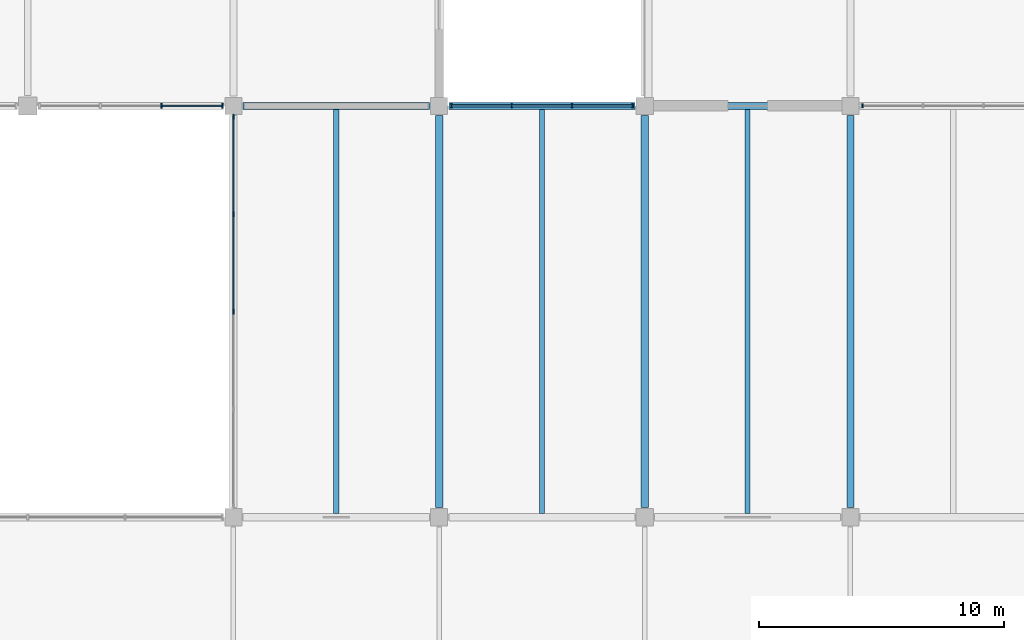
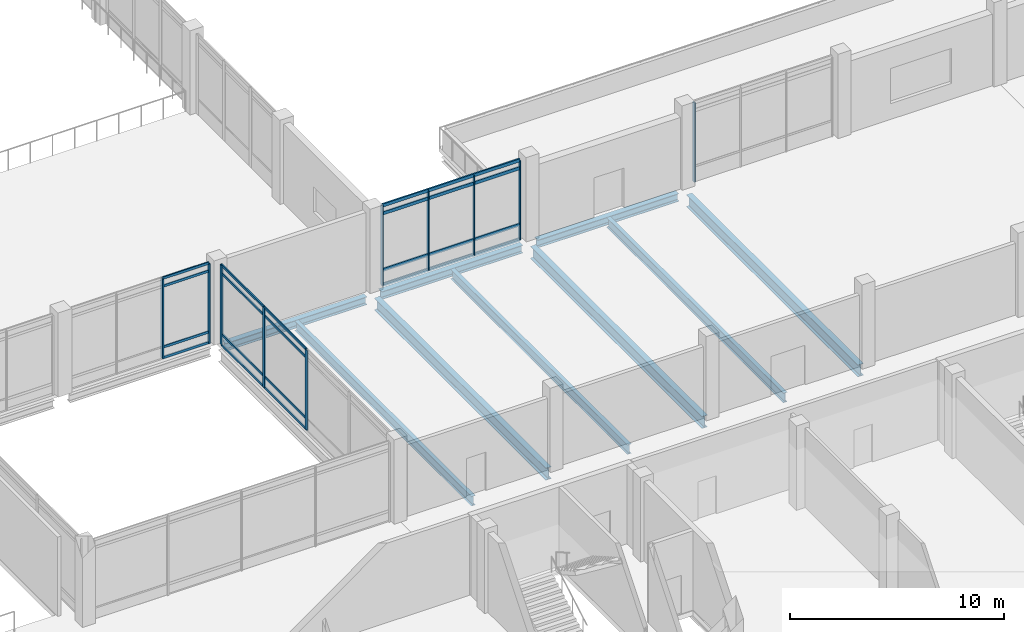
# One storey, part 9 of 110: 34 members, 9 beams, 4 elements without a shape of their own.
"""IFC4 building model written with IfcOpenShell, lengths in metres."""

import ifcopenshell
import ifcopenshell.guid

model = None  # the IFC model being written
_history = None  # IfcOwnerHistory: only IFC2X3 demands one
_inside = {}  # id of a spatial element -> (the spatial element, [elements in it])
_under = {}  # id of a project, library or spatial element -> (it, [spatial elements below it])
_declared = {}  # id of a project -> (the project, [libraries it declares])
_typed = {}  # id of a type object -> (the type object, [elements of that type])
_made_of = {}  # id of a material, layer set ... -> (it, [elements and type objects made of it])


def new_model(schema):
    """Start an empty IFC model of exactly this schema.

    Asked for "IFC4X3", IfcOpenShell would pick the latest addendum, in which some entities
    have other attributes; the version numbers below select the first issue.
    IFC2X3 requires an IfcOwnerHistory on every rooted entity: one is made here for all.
    """
    global model, _history
    if schema == "IFC4X3":
        model = ifcopenshell.file(schema_version=(4, 3, 0, 0))
    else:
        model = ifcopenshell.file(schema=schema)
    _inside.clear()
    _under.clear()
    _declared.clear()
    _typed.clear()
    _made_of.clear()
    _history = None
    if model.schema == "IFC2X3":
        org = make("IfcOrganization", Name="unknown")
        user = make(
            "IfcPersonAndOrganization",
            ThePerson=make("IfcPerson", FamilyName="unknown"),
            TheOrganization=org,
        )
        app = make(
            "IfcApplication",
            ApplicationDeveloper=org,
            Version="unknown",
            ApplicationFullName="unknown",
            ApplicationIdentifier="unknown",
        )
        _history = make(
            "IfcOwnerHistory",
            OwningUser=user,
            OwningApplication=app,
            ChangeAction="ADDED",
            CreationDate=0,
        )
    return model


def make(cls, **values):
    """One entity of the class cls with the attributes given. An attribute that is None is left unset."""
    return model.create_entity(
        cls, **{name: value for name, value in values.items() if value is not None}
    )


def rooted(cls, **values):
    """An entity with a GlobalId (a new one), such as an element, a storey or a relation."""
    return make(cls, GlobalId=ifcopenshell.guid.new(), OwnerHistory=_history, **values)


def si_unit(unit_type, name, prefix=None):
    """IfcSIUnit, for example si_unit("LENGTHUNIT", "METRE", prefix="MILLI")."""
    return make("IfcSIUnit", UnitType=unit_type, Prefix=prefix, Name=name)


def assignment(units):
    """IfcUnitAssignment: the units of a project."""
    return None if units is None else make("IfcUnitAssignment", Units=units)


def point(xyz):
    """IfcCartesianPoint."""
    return None if xyz is None else make("IfcCartesianPoint", Coordinates=xyz)


def direction(xyz):
    """IfcDirection."""
    return None if xyz is None else make("IfcDirection", DirectionRatios=xyz)


def frame(location, z_axis=None, x_axis=None):
    """IfcAxis2Placement3D, a coordinate frame: its origin and axes. An axis left out is left unset."""
    return make(
        "IfcAxis2Placement3D",
        Location=point(location),
        Axis=direction(z_axis),
        RefDirection=direction(x_axis),
    )


def frame_2d(location, x_axis=None):
    """IfcAxis2Placement2D, a coordinate frame in the plane: its origin and x axis."""
    return make(
        "IfcAxis2Placement2D", Location=point(location), RefDirection=direction(x_axis)
    )


def origin():
    """The frame at (0, 0, 0) with its axes left unset."""
    return frame((0.0, 0.0, 0.0))


def origin_2d():
    """The frame at (0, 0) in the plane with its x axis left unset."""
    return frame_2d((0.0, 0.0))


def place(relative_to, where):
    """IfcLocalPlacement: puts the frame where relative to a parent placement (None: the world)."""
    return make(
        "IfcLocalPlacement", PlacementRelTo=relative_to, RelativePlacement=where
    )


def context(
    kind, dimensions, precision=None, world=None, true_north=None, identifier=None
):
    """IfcGeometricRepresentationContext, for example the 3D "Model" context."""
    return make(
        "IfcGeometricRepresentationContext",
        ContextIdentifier=identifier,
        ContextType=kind,
        CoordinateSpaceDimension=dimensions,
        Precision=precision,
        WorldCoordinateSystem=world,
        TrueNorth=true_north,
    )


def subcontext(parent, identifier, kind, view, scale=None):
    """IfcGeometricRepresentationSubContext, for example "Body" below "Model"."""
    return make(
        "IfcGeometricRepresentationSubContext",
        ContextIdentifier=identifier,
        ContextType=kind,
        ParentContext=parent,
        TargetScale=scale,
        TargetView=view,
    )


def project(units=None, contexts=None):
    """IfcProject with its units and contexts."""
    return rooted(
        "IfcProject",
        Name="project",
        RepresentationContexts=contexts,
        UnitsInContext=assignment(units),
    )


def spatial(cls, under=None, at=None, **own):
    """A site, building, storey or space (cls), placed at a placement, below another one or the project."""
    s = rooted(cls, ObjectPlacement=at, **own)
    if under is not None:
        _under.setdefault(under.id(), (under, []))[1].append(s)
    return s


def profile(cls, at=None, kind="AREA", **sizes):
    """A parametric profile (cls). Its sizes go by their IFC names, for example OverallWidth=200.0."""
    return make(cls, ProfileType=kind, Position=at, **sizes)


def rectangle(**sizes):
    """IfcRectangleProfileDef."""
    return profile("IfcRectangleProfileDef", **sizes)


def i_section(**sizes):
    """IfcIShapeProfileDef."""
    return profile("IfcIShapeProfileDef", **sizes)


def extrude(swept, where, along, depth):
    """IfcExtrudedAreaSolid: the profile swept, set in the frame where, extruded along a direction by depth."""
    return make(
        "IfcExtrudedAreaSolid",
        SweptArea=swept,
        Position=where,
        ExtrudedDirection=direction(along),
        Depth=depth,
    )


def shape(context_of_items, identifier, shape_type, items):
    """IfcShapeRepresentation: the items that make up one representation, for example the "Body"."""
    return make(
        "IfcShapeRepresentation",
        ContextOfItems=context_of_items,
        RepresentationIdentifier=identifier,
        RepresentationType=shape_type,
        Items=items,
    )


def material(Name=None, Category=None):
    """IfcMaterial."""
    return make("IfcMaterial", Name=Name, Category=Category)


def layer(
    of_material, thickness, ventilated=None, Name=None, Category=None, Priority=None
):
    """IfcMaterialLayer: one layer of a wall or slab, of a material (None: an air gap)."""
    return make(
        "IfcMaterialLayer",
        Material=of_material,
        LayerThickness=thickness,
        IsVentilated=ventilated,
        Name=Name,
        Category=Category,
        Priority=Priority,
    )


def layer_set(layers, Name=None):
    """IfcMaterialLayerSet."""
    return make("IfcMaterialLayerSet", MaterialLayers=layers, LayerSetName=Name)


def material_profile(
    of_material, cross_section, Name=None, Category=None, Priority=None
):
    """IfcMaterialProfile: a cross section and its material."""
    return make(
        "IfcMaterialProfile",
        Name=Name,
        Material=of_material,
        Profile=cross_section,
        Priority=Priority,
        Category=Category,
    )


def profile_set(profiles, Name=None, composite=None):
    """IfcMaterialProfileSet."""
    return make(
        "IfcMaterialProfileSet",
        Name=Name,
        MaterialProfiles=profiles,
        CompositeProfile=composite,
    )


def made_of(thing, what):
    """Note that an element or type object is made of a material, layer set ...; save() writes the relation."""
    if what is not None:
        _made_of.setdefault(what.id(), (what, []))[1].append(thing)
    return thing


def type_object(cls, material=None, **own):
    """A type object (cls), such as IfcWallType, which elements share."""
    return made_of(rooted(cls, **own), material)


def element(
    cls,
    number,
    at=None,
    inside=None,
    cuts=None,
    type_object=None,
    material=None,
    context=None,
    identifier="Body",
    shape_type=None,
    held_by="IfcProductDefinitionShape",
    body=None,
    shapes=None,
    **own,
):
    """One element of the class cls, such as IfcWall. Its Tag is "e" and its number.

    at: its placement. inside: the storey or other place that contains it. cuts: it is an
    opening in that element (IfcRelVoidsElement). A single representation is given by context,
    identifier, shape_type and body (its items); several are given by shapes. held_by: the class
    of the entity that holds the representations. save() writes the other relations.
    """
    e = rooted(cls, Tag="e%d" % number, ObjectPlacement=at, **own)
    if body is not None:
        shapes = [shape(context, identifier, shape_type, body)]
    if shapes is not None:
        e.Representation = make(held_by, Representations=shapes)
    if inside is not None:
        _inside.setdefault(inside.id(), (inside, []))[1].append(e)
    if cuts is not None:
        rooted(
            "IfcRelVoidsElement", RelatingBuildingElement=cuts, RelatedOpeningElement=e
        )
    if type_object is not None:
        _typed.setdefault(type_object.id(), (type_object, []))[1].append(e)
    return made_of(e, material)


def aggregate(whole, parts):
    """IfcRelAggregates: a whole, such as a stair, and the parts it consists of."""
    return rooted("IfcRelAggregates", RelatingObject=whole, RelatedObjects=parts)


def save(model, path):
    """Write the relations noted so far, then the file.

    IfcRelAggregates (storeys below a building ...), IfcRelContainedInSpatialStructure (elements
    in a storey), IfcRelDefinesByType, IfcRelAssociatesMaterial and IfcRelDeclares: one each for
    every whole, place, type object, material and project.
    """
    for whole, parts in _under.values():
        aggregate(whole, parts)
    for where, things in _inside.values():
        rooted(
            "IfcRelContainedInSpatialStructure",
            RelatedElements=things,
            RelatingStructure=where,
        )
    for kind, things in _typed.values():
        rooted("IfcRelDefinesByType", RelatedObjects=things, RelatingType=kind)
    for what, things in _made_of.values():
        rooted("IfcRelAssociatesMaterial", RelatedObjects=things, RelatingMaterial=what)
    for by, libraries in _declared.values():
        rooted("IfcRelDeclares", RelatingContext=by, RelatedDefinitions=libraries)
    model.write(path)


model = new_model("IFC4")

# Units and contexts
model_context = context("Model", 3, precision=1e-05, world=origin(), true_north=direction((0.0, 1.0)))
body_context = subcontext(model_context, "Body", "Model", "MODEL_VIEW")
ifc_project = project(units=[si_unit("LENGTHUNIT", "METRE"), si_unit("AREAUNIT", "SQUARE_METRE"), si_unit("VOLUMEUNIT", "CUBIC_METRE"), si_unit("PLANEANGLEUNIT", "RADIAN"), si_unit("MASSUNIT", "GRAM", prefix="KILO")], contexts=[model_context])

# Site, building, storey
site_placement = place(None, origin())
site = spatial("IfcSite", under=ifc_project, at=site_placement, CompositionType="ELEMENT")
building_placement = place(site_placement, origin())
building = spatial("IfcBuilding", under=site, at=building_placement, Name="Qawsi Khor Wholesale Market", CompositionType="ELEMENT")
storey_placement = place(building_placement, frame((0.0, 0.0, 11.39990234375)))
storey = spatial("IfcBuildingStorey", under=building, at=storey_placement, Name="L02", CompositionType="ELEMENT", Elevation=11.39990234375)

# Curtain wall, members
ifc_material_1 = material(Name="Aluminium Anodised Bronze", Category="aluminium")
ifc_layer_1 = layer(ifc_material_1, 0.179931640625, Name="Aluminium Anodised Bronze")
ifc_layer_set_1 = layer_set([ifc_layer_1], Name="Aluminium Anodised Bronze")
curtain_wall_type_1 = type_object("IfcCurtainWallType", Name="Atrium Full-Height Curtain Wall CW-02", PredefinedType="NOTDEFINED", material=ifc_layer_set_1)
curtain_wall_1_placement = place(storey_placement, origin())
curtain_wall_1 = element("IfcCurtainWall", 1, at=curtain_wall_1_placement, inside=storey, type_object=curtain_wall_type_1, Name="Curtain wall CW-CW-02-L02-023", PredefinedType="NOTDEFINED")
ifc_material_profile_1 = material_profile(ifc_material_1, rectangle(XDim=0.070068359375, YDim=0.199951171875, at=origin_2d()), Name="ALU MULLION 70x200")
ifc_profile_set_1 = profile_set([ifc_material_profile_1], Name="Aluminium Anodised Bronze")
member_type_1 = type_object("IfcMemberType", Name="Curtain Wall Mullion CW-02 ALU MULLION 70x200", PredefinedType="MULLION", material=ifc_profile_set_1)
member_1_placement = place(storey_placement, frame((64.260009765625, 42.0, -0.02001953125), z_axis=(0.0, 0.0, 1.0), x_axis=(1.0, 0.0, 0.0)))
member_1 = element("IfcMember", 2, at=member_1_placement, type_object=member_type_1, Name="Mullion CW-CW-02-L02-023-M02", PredefinedType="MULLION", context=body_context, shape_type="SweptSolid", body=[
    extrude(rectangle(XDim=0.070068359375, YDim=0.199951171875, at=origin_2d()), origin(), (0.0, 0.0, 1.0), 4.5400390625),
])
member_2_placement = place(storey_placement, frame((66.7548828125, 42.0, -0.02001953125), z_axis=(0.0, 0.0, 1.0), x_axis=(1.0, 0.0, 0.0)))
member_2 = element("IfcMember", 3, at=member_2_placement, type_object=member_type_1, Name="Mullion CW-CW-02-L02-023-M03", PredefinedType="MULLION", context=body_context, shape_type="SweptSolid", body=[
    extrude(rectangle(XDim=0.070068359375, YDim=0.199951171875, at=origin_2d()), origin(), (0.0, 0.0, 1.0), 4.5400390625),
])

curtain_wall_2_placement = place(storey_placement, origin())
curtain_wall_2 = element("IfcCurtainWall", 4, at=curtain_wall_2_placement, inside=storey, type_object=curtain_wall_type_1, Name="Curtain wall CW-CW-02-L02-025", PredefinedType="NOTDEFINED")
member_3_placement = place(storey_placement, frame((67.199951171875, 33.60009765625, -0.02001953125), z_axis=(0.0, 0.0, 1.0), x_axis=(1.0, 0.0, 0.0)))
member_3 = element("IfcMember", 5, at=member_3_placement, type_object=member_type_1, Name="Mullion CW-CW-02-L02-025-M02", PredefinedType="MULLION", context=body_context, shape_type="SweptSolid", body=[
    extrude(rectangle(XDim=0.070068359375, YDim=0.199951171875, at=origin_2d()), origin(), (0.0, 0.0, 1.0), 4.5400390625),
])
member_4_placement = place(storey_placement, frame((67.199951171875, 37.577392578125, -0.02001953125), z_axis=(0.0, 0.0, 1.0), x_axis=(1.0, 0.0, 0.0)))
member_4 = element("IfcMember", 6, at=member_4_placement, type_object=member_type_1, Name="Mullion CW-CW-02-L02-025-M03", PredefinedType="MULLION", context=body_context, shape_type="SweptSolid", body=[
    extrude(rectangle(XDim=0.070068359375, YDim=0.199951171875, at=origin_2d()), origin(), (0.0, 0.0, 1.0), 4.5400390625),
])
member_5_placement = place(storey_placement, frame((67.199951171875, 41.554931640625, -0.02001953125), z_axis=(0.0, 0.0, 1.0), x_axis=(1.0, 0.0, 0.0)))
member_5 = element("IfcMember", 7, at=member_5_placement, type_object=member_type_1, Name="Mullion CW-CW-02-L02-025-M04", PredefinedType="MULLION", context=body_context, shape_type="SweptSolid", body=[
    extrude(rectangle(XDim=0.070068359375, YDim=0.199951171875, at=origin_2d()), origin(), (0.0, 0.0, 1.0), 4.5400390625),
])

ifc_layer_2 = layer(ifc_material_1, 0.169921875, Name="Aluminium Anodised Bronze")
ifc_layer_set_2 = layer_set([ifc_layer_2], Name="Aluminium Anodised Bronze")
curtain_wall_type_2 = type_object("IfcCurtainWallType", Name="Central Court Gallery Curtain Wall CW-05", PredefinedType="NOTDEFINED", material=ifc_layer_set_2)
curtain_wall_3_placement = place(storey_placement, origin())
curtain_wall_3 = element("IfcCurtainWall", 8, at=curtain_wall_3_placement, inside=storey, type_object=curtain_wall_type_2, Name="Curtain wall CW-CW-05-L02-066", PredefinedType="NOTDEFINED")
ifc_material_profile_2 = material_profile(ifc_material_1, rectangle(XDim=0.06005859375, YDim=0.159912109375, at=origin_2d()), Name="ALU MULLION 60x160")
ifc_profile_set_2 = profile_set([ifc_material_profile_2], Name="Aluminium Anodised Bronze")
member_type_2 = type_object("IfcMemberType", Name="Curtain Wall Mullion CW-05 ALU MULLION 60x160", PredefinedType="MULLION", material=ifc_profile_set_2)
member_6_placement = place(storey_placement, frame((76.10009765625, 42.0, -0.02001953125), z_axis=(0.0, 0.0, 1.0), x_axis=(1.0, 0.0, 0.0)))
member_6 = element("IfcMember", 9, at=member_6_placement, type_object=member_type_2, Name="Mullion CW-CW-05-L02-066-M00", PredefinedType="MULLION", context=body_context, shape_type="SweptSolid", body=[
    extrude(rectangle(XDim=0.06005859375, YDim=0.159912109375, at=origin_2d()), origin(), (0.0, 0.0, 1.0), 4.5400390625),
])
member_7_placement = place(storey_placement, frame((78.566650390625, 42.0, -0.02001953125), z_axis=(0.0, 0.0, 1.0), x_axis=(1.0, 0.0, 0.0)))
member_7 = element("IfcMember", 10, at=member_7_placement, type_object=member_type_2, Name="Mullion CW-CW-05-L02-066-M01", PredefinedType="MULLION", context=body_context, shape_type="SweptSolid", body=[
    extrude(rectangle(XDim=0.06005859375, YDim=0.159912109375, at=origin_2d()), origin(), (0.0, 0.0, 1.0), 4.5400390625),
])
member_8_placement = place(storey_placement, frame((81.033203125, 42.0, -0.02001953125), z_axis=(0.0, 0.0, 1.0), x_axis=(1.0, 0.0, 0.0)))
member_8 = element("IfcMember", 11, at=member_8_placement, type_object=member_type_2, Name="Mullion CW-CW-05-L02-066-M02", PredefinedType="MULLION", context=body_context, shape_type="SweptSolid", body=[
    extrude(rectangle(XDim=0.06005859375, YDim=0.159912109375, at=origin_2d()), origin(), (0.0, 0.0, 1.0), 4.5400390625),
])
member_9_placement = place(storey_placement, frame((83.5, 42.0, -0.02001953125), z_axis=(0.0, 0.0, 1.0), x_axis=(1.0, 0.0, 0.0)))
member_9 = element("IfcMember", 12, at=member_9_placement, type_object=member_type_2, Name="Mullion CW-CW-05-L02-066-M03", PredefinedType="MULLION", context=body_context, shape_type="SweptSolid", body=[
    extrude(rectangle(XDim=0.06005859375, YDim=0.159912109375, at=origin_2d()), origin(), (0.0, 0.0, 1.0), 4.5400390625),
])

# Curtain wall, member
curtain_wall_4_placement = place(storey_placement, origin())
curtain_wall_4 = element("IfcCurtainWall", 13, at=curtain_wall_4_placement, inside=storey, type_object=curtain_wall_type_2, Name="Curtain wall CW-CW-05-L02-067", PredefinedType="NOTDEFINED")
member_10_placement = place(storey_placement, frame((92.89990234375, 42.0, -0.02001953125), z_axis=(0.0, 0.0, 1.0), x_axis=(1.0, 0.0, 0.0)))
member_10 = element("IfcMember", 14, at=member_10_placement, type_object=member_type_2, Name="Mullion CW-CW-05-L02-067-M00", PredefinedType="MULLION", context=body_context, shape_type="SweptSolid", body=[
    extrude(rectangle(XDim=0.06005859375, YDim=0.159912109375, at=origin_2d()), origin(), (0.0, 0.0, 1.0), 4.5400390625),
])
aggregate(curtain_wall_4, [member_10])

# Member
ifc_material_profile_3 = material_profile(ifc_material_1, rectangle(XDim=0.06494140625, YDim=0.139892578125, at=origin_2d()), Name="ALU TRANSOM 65x140")
ifc_profile_set_3 = profile_set([ifc_material_profile_3], Name="Aluminium Anodised Bronze")
member_type_3 = type_object("IfcMemberType", Name="Curtain Wall Transom CW-02 ALU TRANSOM 65x140", PredefinedType="USERDEFINED", material=ifc_profile_set_3)
member_11_placement = place(storey_placement, frame((64.260009765625, 42.0, 0.0), z_axis=(1.0, 0.0, 0.0), x_axis=(0.0, 1.0, 0.0)))
member_11 = element("IfcMember", 15, at=member_11_placement, type_object=member_type_3, Name="Transom CW-CW-02-L02-023-T0_02", ObjectType="TRANSOM", PredefinedType="USERDEFINED", context=body_context, shape_type="SweptSolid", body=[
    extrude(rectangle(XDim=0.06494140625, YDim=0.139892578125, at=origin_2d()), origin(), (0.0, 0.0, 1.0), 2.494873046875),
])

member_12_placement = place(storey_placement, frame((64.260009765625, 42.0, 0.60009765625), z_axis=(1.0, 0.0, 0.0), x_axis=(0.0, 1.0, 0.0)))
member_12 = element("IfcMember", 16, at=member_12_placement, type_object=member_type_3, Name="Transom CW-CW-02-L02-023-T1_02", ObjectType="TRANSOM", PredefinedType="USERDEFINED", context=body_context, shape_type="SweptSolid", body=[
    extrude(rectangle(XDim=0.06494140625, YDim=0.139892578125, at=origin_2d()), origin(), (0.0, 0.0, 1.0), 2.494873046875),
])

member_13_placement = place(storey_placement, frame((64.260009765625, 42.0, 4.070068359375), z_axis=(1.0, 0.0, 0.0), x_axis=(0.0, 1.0, 0.0)))
member_13 = element("IfcMember", 17, at=member_13_placement, type_object=member_type_3, Name="Transom CW-CW-02-L02-023-T2_02", ObjectType="TRANSOM", PredefinedType="USERDEFINED", context=body_context, shape_type="SweptSolid", body=[
    extrude(rectangle(XDim=0.06494140625, YDim=0.139892578125, at=origin_2d()), origin(), (0.0, 0.0, 1.0), 2.494873046875),
])

member_14_placement = place(storey_placement, frame((64.260009765625, 42.0, 4.52001953125), z_axis=(1.0, 0.0, 0.0), x_axis=(0.0, 1.0, 0.0)))
member_14 = element("IfcMember", 18, at=member_14_placement, type_object=member_type_3, Name="Transom CW-CW-02-L02-023-T3_02", ObjectType="TRANSOM", PredefinedType="USERDEFINED", context=body_context, shape_type="SweptSolid", body=[
    extrude(rectangle(XDim=0.06494140625, YDim=0.139892578125, at=origin_2d()), origin(), (0.0, 0.0, 1.0), 2.494873046875),
])

aggregate(curtain_wall_1, [member_1, member_2, member_11, member_12, member_13, member_14])

member_15_placement = place(storey_placement, frame((67.199951171875, 33.60009765625, 0.0), z_axis=(0.0, 1.0, 0.0), x_axis=(-1.0, 0.0, 0.0)))
member_15 = element("IfcMember", 19, at=member_15_placement, type_object=member_type_3, Name="Transom CW-CW-02-L02-025-T0_02", ObjectType="TRANSOM", PredefinedType="USERDEFINED", context=body_context, shape_type="SweptSolid", body=[
    extrude(rectangle(XDim=0.06494140625, YDim=0.139892578125, at=origin_2d()), origin(), (0.0, 0.0, 1.0), 3.977294921875),
])

member_16_placement = place(storey_placement, frame((67.199951171875, 37.577392578125, 0.0), z_axis=(0.0, 1.0, 0.0), x_axis=(-1.0, 0.0, 0.0)))
member_16 = element("IfcMember", 20, at=member_16_placement, type_object=member_type_3, Name="Transom CW-CW-02-L02-025-T0_03", ObjectType="TRANSOM", PredefinedType="USERDEFINED", context=body_context, shape_type="SweptSolid", body=[
    extrude(rectangle(XDim=0.06494140625, YDim=0.139892578125, at=origin_2d()), origin(), (0.0, 0.0, 1.0), 3.9775390625),
])

member_17_placement = place(storey_placement, frame((67.199951171875, 33.60009765625, 0.60009765625), z_axis=(0.0, 1.0, 0.0), x_axis=(-1.0, 0.0, 0.0)))
member_17 = element("IfcMember", 21, at=member_17_placement, type_object=member_type_3, Name="Transom CW-CW-02-L02-025-T1_02", ObjectType="TRANSOM", PredefinedType="USERDEFINED", context=body_context, shape_type="SweptSolid", body=[
    extrude(rectangle(XDim=0.06494140625, YDim=0.139892578125, at=origin_2d()), origin(), (0.0, 0.0, 1.0), 3.977294921875),
])

member_18_placement = place(storey_placement, frame((67.199951171875, 37.577392578125, 0.60009765625), z_axis=(0.0, 1.0, 0.0), x_axis=(-1.0, 0.0, 0.0)))
member_18 = element("IfcMember", 22, at=member_18_placement, type_object=member_type_3, Name="Transom CW-CW-02-L02-025-T1_03", ObjectType="TRANSOM", PredefinedType="USERDEFINED", context=body_context, shape_type="SweptSolid", body=[
    extrude(rectangle(XDim=0.06494140625, YDim=0.139892578125, at=origin_2d()), origin(), (0.0, 0.0, 1.0), 3.9775390625),
])

member_19_placement = place(storey_placement, frame((67.199951171875, 33.60009765625, 4.070068359375), z_axis=(0.0, 1.0, 0.0), x_axis=(-1.0, 0.0, 0.0)))
member_19 = element("IfcMember", 23, at=member_19_placement, type_object=member_type_3, Name="Transom CW-CW-02-L02-025-T2_02", ObjectType="TRANSOM", PredefinedType="USERDEFINED", context=body_context, shape_type="SweptSolid", body=[
    extrude(rectangle(XDim=0.06494140625, YDim=0.139892578125, at=origin_2d()), origin(), (0.0, 0.0, 1.0), 3.977294921875),
])

member_20_placement = place(storey_placement, frame((67.199951171875, 37.577392578125, 4.070068359375), z_axis=(0.0, 1.0, 0.0), x_axis=(-1.0, 0.0, 0.0)))
member_20 = element("IfcMember", 24, at=member_20_placement, type_object=member_type_3, Name="Transom CW-CW-02-L02-025-T2_03", ObjectType="TRANSOM", PredefinedType="USERDEFINED", context=body_context, shape_type="SweptSolid", body=[
    extrude(rectangle(XDim=0.06494140625, YDim=0.139892578125, at=origin_2d()), origin(), (0.0, 0.0, 1.0), 3.9775390625),
])

member_21_placement = place(storey_placement, frame((67.199951171875, 33.60009765625, 4.52001953125), z_axis=(0.0, 1.0, 0.0), x_axis=(-1.0, 0.0, 0.0)))
member_21 = element("IfcMember", 25, at=member_21_placement, type_object=member_type_3, Name="Transom CW-CW-02-L02-025-T3_02", ObjectType="TRANSOM", PredefinedType="USERDEFINED", context=body_context, shape_type="SweptSolid", body=[
    extrude(rectangle(XDim=0.06494140625, YDim=0.139892578125, at=origin_2d()), origin(), (0.0, 0.0, 1.0), 3.977294921875),
])

member_22_placement = place(storey_placement, frame((67.199951171875, 37.577392578125, 4.52001953125), z_axis=(0.0, 1.0, 0.0), x_axis=(-1.0, 0.0, 0.0)))
member_22 = element("IfcMember", 26, at=member_22_placement, type_object=member_type_3, Name="Transom CW-CW-02-L02-025-T3_03", ObjectType="TRANSOM", PredefinedType="USERDEFINED", context=body_context, shape_type="SweptSolid", body=[
    extrude(rectangle(XDim=0.06494140625, YDim=0.139892578125, at=origin_2d()), origin(), (0.0, 0.0, 1.0), 3.9775390625),
])

aggregate(curtain_wall_2, [member_3, member_4, member_5, member_15, member_16, member_17, member_18, member_19, member_20, member_21, member_22])

ifc_material_profile_4 = material_profile(ifc_material_1, rectangle(XDim=0.080078125, YDim=0.179931640625, at=origin_2d()), Name="ALU TRANSOM 80x180")
ifc_profile_set_4 = profile_set([ifc_material_profile_4], Name="Aluminium Anodised Bronze")
member_type_4 = type_object("IfcMemberType", Name="Curtain Wall Transom CW-05 ALU TRANSOM 80x180", PredefinedType="USERDEFINED", material=ifc_profile_set_4)
member_23_placement = place(storey_placement, frame((76.10009765625, 42.0, 0.0), z_axis=(1.0, 0.0, 0.0), x_axis=(0.0, 1.0, 0.0)))
member_23 = element("IfcMember", 27, at=member_23_placement, type_object=member_type_4, Name="Transom CW-CW-05-L02-066-T0_00", ObjectType="TRANSOM", PredefinedType="USERDEFINED", context=body_context, shape_type="SweptSolid", body=[
    extrude(rectangle(XDim=0.080078125, YDim=0.179931640625, at=origin_2d()), origin(), (0.0, 0.0, 1.0), 2.466552734375),
])

member_24_placement = place(storey_placement, frame((78.566650390625, 42.0, 0.0), z_axis=(1.0, 0.0, 0.0), x_axis=(0.0, 1.0, 0.0)))
member_24 = element("IfcMember", 28, at=member_24_placement, type_object=member_type_4, Name="Transom CW-CW-05-L02-066-T0_01", ObjectType="TRANSOM", PredefinedType="USERDEFINED", context=body_context, shape_type="SweptSolid", body=[
    extrude(rectangle(XDim=0.080078125, YDim=0.179931640625, at=origin_2d()), origin(), (0.0, 0.0, 1.0), 2.466552734375),
])

member_25_placement = place(storey_placement, frame((81.033203125, 42.0, 0.0), z_axis=(1.0, 0.0, 0.0), x_axis=(0.0, 1.0, 0.0)))
member_25 = element("IfcMember", 29, at=member_25_placement, type_object=member_type_4, Name="Transom CW-CW-05-L02-066-T0_02", ObjectType="TRANSOM", PredefinedType="USERDEFINED", context=body_context, shape_type="SweptSolid", body=[
    extrude(rectangle(XDim=0.080078125, YDim=0.179931640625, at=origin_2d()), origin(), (0.0, 0.0, 1.0), 2.466796875),
])

member_26_placement = place(storey_placement, frame((76.10009765625, 42.0, 0.85009765625), z_axis=(1.0, 0.0, 0.0), x_axis=(0.0, 1.0, 0.0)))
member_26 = element("IfcMember", 30, at=member_26_placement, type_object=member_type_4, Name="Transom CW-CW-05-L02-066-T1_00", ObjectType="TRANSOM", PredefinedType="USERDEFINED", context=body_context, shape_type="SweptSolid", body=[
    extrude(rectangle(XDim=0.080078125, YDim=0.179931640625, at=origin_2d()), origin(), (0.0, 0.0, 1.0), 2.466552734375),
])

member_27_placement = place(storey_placement, frame((78.566650390625, 42.0, 0.85009765625), z_axis=(1.0, 0.0, 0.0), x_axis=(0.0, 1.0, 0.0)))
member_27 = element("IfcMember", 31, at=member_27_placement, type_object=member_type_4, Name="Transom CW-CW-05-L02-066-T1_01", ObjectType="TRANSOM", PredefinedType="USERDEFINED", context=body_context, shape_type="SweptSolid", body=[
    extrude(rectangle(XDim=0.080078125, YDim=0.179931640625, at=origin_2d()), origin(), (0.0, 0.0, 1.0), 2.466552734375),
])

member_28_placement = place(storey_placement, frame((81.033203125, 42.0, 0.85009765625), z_axis=(1.0, 0.0, 0.0), x_axis=(0.0, 1.0, 0.0)))
member_28 = element("IfcMember", 32, at=member_28_placement, type_object=member_type_4, Name="Transom CW-CW-05-L02-066-T1_02", ObjectType="TRANSOM", PredefinedType="USERDEFINED", context=body_context, shape_type="SweptSolid", body=[
    extrude(rectangle(XDim=0.080078125, YDim=0.179931640625, at=origin_2d()), origin(), (0.0, 0.0, 1.0), 2.466796875),
])

member_29_placement = place(storey_placement, frame((76.10009765625, 42.0, 4.070068359375), z_axis=(1.0, 0.0, 0.0), x_axis=(0.0, 1.0, 0.0)))
member_29 = element("IfcMember", 33, at=member_29_placement, type_object=member_type_4, Name="Transom CW-CW-05-L02-066-T2_00", ObjectType="TRANSOM", PredefinedType="USERDEFINED", context=body_context, shape_type="SweptSolid", body=[
    extrude(rectangle(XDim=0.080078125, YDim=0.179931640625, at=origin_2d()), origin(), (0.0, 0.0, 1.0), 2.466552734375),
])

member_30_placement = place(storey_placement, frame((78.566650390625, 42.0, 4.070068359375), z_axis=(1.0, 0.0, 0.0), x_axis=(0.0, 1.0, 0.0)))
member_30 = element("IfcMember", 34, at=member_30_placement, type_object=member_type_4, Name="Transom CW-CW-05-L02-066-T2_01", ObjectType="TRANSOM", PredefinedType="USERDEFINED", context=body_context, shape_type="SweptSolid", body=[
    extrude(rectangle(XDim=0.080078125, YDim=0.179931640625, at=origin_2d()), origin(), (0.0, 0.0, 1.0), 2.466552734375),
])

member_31_placement = place(storey_placement, frame((81.033203125, 42.0, 4.070068359375), z_axis=(1.0, 0.0, 0.0), x_axis=(0.0, 1.0, 0.0)))
member_31 = element("IfcMember", 35, at=member_31_placement, type_object=member_type_4, Name="Transom CW-CW-05-L02-066-T2_02", ObjectType="TRANSOM", PredefinedType="USERDEFINED", context=body_context, shape_type="SweptSolid", body=[
    extrude(rectangle(XDim=0.080078125, YDim=0.179931640625, at=origin_2d()), origin(), (0.0, 0.0, 1.0), 2.466796875),
])

member_32_placement = place(storey_placement, frame((76.10009765625, 42.0, 4.52001953125), z_axis=(1.0, 0.0, 0.0), x_axis=(0.0, 1.0, 0.0)))
member_32 = element("IfcMember", 36, at=member_32_placement, type_object=member_type_4, Name="Transom CW-CW-05-L02-066-T3_00", ObjectType="TRANSOM", PredefinedType="USERDEFINED", context=body_context, shape_type="SweptSolid", body=[
    extrude(rectangle(XDim=0.080078125, YDim=0.179931640625, at=origin_2d()), origin(), (0.0, 0.0, 1.0), 2.466552734375),
])

member_33_placement = place(storey_placement, frame((78.566650390625, 42.0, 4.52001953125), z_axis=(1.0, 0.0, 0.0), x_axis=(0.0, 1.0, 0.0)))
member_33 = element("IfcMember", 37, at=member_33_placement, type_object=member_type_4, Name="Transom CW-CW-05-L02-066-T3_01", ObjectType="TRANSOM", PredefinedType="USERDEFINED", context=body_context, shape_type="SweptSolid", body=[
    extrude(rectangle(XDim=0.080078125, YDim=0.179931640625, at=origin_2d()), origin(), (0.0, 0.0, 1.0), 2.466552734375),
])

member_34_placement = place(storey_placement, frame((81.033203125, 42.0, 4.52001953125), z_axis=(1.0, 0.0, 0.0), x_axis=(0.0, 1.0, 0.0)))
member_34 = element("IfcMember", 38, at=member_34_placement, type_object=member_type_4, Name="Transom CW-CW-05-L02-066-T3_02", ObjectType="TRANSOM", PredefinedType="USERDEFINED", context=body_context, shape_type="SweptSolid", body=[
    extrude(rectangle(XDim=0.080078125, YDim=0.179931640625, at=origin_2d()), origin(), (0.0, 0.0, 1.0), 2.466796875),
])

aggregate(curtain_wall_3, [member_6, member_7, member_8, member_9, member_23, member_24, member_25, member_26, member_27, member_28, member_29, member_30, member_31, member_32, member_33, member_34])

# Beams
ifc_material_2 = material(Name="Steel S355", Category="steel")
ifc_material_profile_5 = material_profile(ifc_material_2, i_section(OverallWidth=0.300048828125, OverallDepth=0.449951171875, WebThickness=0.013916015625, FlangeThickness=0.02587890625, FilletRadius=0.027099609375, at=origin_2d()), Name="HEB 450")
ifc_profile_set_5 = profile_set([ifc_material_profile_5], Name="Steel S355")
beam_type_1 = type_object("IfcBeamType", Name="Heavy Edge Girder HEB 450", PredefinedType="BEAM", material=ifc_profile_set_5)
beam_placement = place(storey_placement, frame((67.60009765625, 42.0, -0.5048828125), z_axis=(1.0, 0.0, 0.0), x_axis=(0.0, 1.0, 0.0)))
element("IfcBeam", 39, at=beam_placement, inside=storey, type_object=beam_type_1, Name="BM-X-L02-08_+05", PredefinedType="BEAM", context=body_context, shape_type="SweptSolid", body=[
    extrude(i_section(OverallWidth=0.300048828125, OverallDepth=0.449951171875, WebThickness=0.013916015625, FlangeThickness=0.02587890625, FilletRadius=0.027099609375, at=origin_2d()), origin(), (0.0, 0.0, 1.0), 7.599853515625),
])
for number, where, z_axis, x_axis, name in (
    (40, (76.0, 42.0, -0.5048828125), (1.0, 0.0, 0.0), (0.0, 1.0, 0.0), "BM-X-L02-09_+05"),
    (41, (84.39990234375, 42.0, -0.5048828125), (1.0, 0.0, 0.0), (0.0, 1.0, 0.0), "BM-X-L02-10_+05"),
):
    element("IfcBeam", number, at=place(storey_placement, frame(where, z_axis=z_axis, x_axis=x_axis)), inside=storey, type_object=beam_type_1, Name=name, PredefinedType="BEAM", context=body_context, shape_type="SweptSolid", body=[
        extrude(i_section(OverallWidth=0.300048828125, OverallDepth=0.449951171875, WebThickness=0.013916015625, FlangeThickness=0.02587890625, FilletRadius=0.027099609375, at=origin_2d()), origin(), (0.0, 0.0, 1.0), 7.60009765625),
    ])
ifc_material_profile_6 = material_profile(ifc_material_2, i_section(OverallWidth=0.300048828125, OverallDepth=0.68994140625, WebThickness=0.014404296875, FlangeThickness=0.027099609375, FilletRadius=0.027099609375, at=origin_2d()), Name="HEA 700")
ifc_profile_set_6 = profile_set([ifc_material_profile_6], Name="Steel S355")
beam_type_2 = type_object("IfcBeamType", Name="Primary Girder HEA 700", PredefinedType="BEAM", material=ifc_profile_set_6)
for number, where, z_axis, x_axis, name in (
    (42, (75.60009765625, 25.60009765625, -0.625), (0.0, 1.0, 0.0), (-1.0, 0.0, 0.0), "BM-YL-L02-09_+03"),
    (43, (84.0, 25.60009765625, -0.625), (0.0, 1.0, 0.0), (-1.0, 0.0, 0.0), "BM-YL-L02-10_+03"),
    (44, (92.39990234375, 25.60009765625, -0.625), (0.0, 1.0, 0.0), (-1.0, 0.0, 0.0), "BM-YL-L02-11_+03"),
):
    element("IfcBeam", number, at=place(storey_placement, frame(where, z_axis=z_axis, x_axis=x_axis)), inside=storey, type_object=beam_type_2, Name=name, PredefinedType="BEAM", context=body_context, shape_type="SweptSolid", body=[
        extrude(i_section(OverallWidth=0.300048828125, OverallDepth=0.68994140625, WebThickness=0.014404296875, FlangeThickness=0.027099609375, FilletRadius=0.027099609375, at=origin_2d()), origin(), (0.0, 0.0, 1.0), 16.0),
    ])
ifc_material_profile_7 = material_profile(ifc_material_2, i_section(OverallWidth=0.2099609375, OverallDepth=0.550048828125, WebThickness=0.010986328125, FlangeThickness=0.01708984375, FilletRadius=0.02392578125, at=origin_2d()), Name="IPE 550")
ifc_profile_set_7 = profile_set([ifc_material_profile_7], Name="Steel S355")
beam_type_3 = type_object("IfcBeamType", Name="Secondary Beam IPE 550", PredefinedType="BEAM", material=ifc_profile_set_7)
for number, where, z_axis, x_axis, name in (
    (45, (71.39990234375, 25.35009765625, -0.554931640625), (0.0, 1.0, 0.0), (-1.0, 0.0, 0.0), "JST-M-L02-08"),
    (46, (79.800048828125, 25.35009765625, -0.554931640625), (0.0, 1.0, 0.0), (-1.0, 0.0, 0.0), "JST-M-L02-09"),
    (47, (88.199951171875, 25.35009765625, -0.554931640625), (0.0, 1.0, 0.0), (-1.0, 0.0, 0.0), "JST-M-L02-10"),
):
    element("IfcBeam", number, at=place(storey_placement, frame(where, z_axis=z_axis, x_axis=x_axis)), inside=storey, type_object=beam_type_3, Name=name, PredefinedType="BEAM", context=body_context, shape_type="SweptSolid", body=[
        extrude(i_section(OverallWidth=0.2099609375, OverallDepth=0.550048828125, WebThickness=0.010986328125, FlangeThickness=0.01708984375, FilletRadius=0.02392578125, at=origin_2d()), origin(), (0.0, 0.0, 1.0), 16.5),
    ])

save(model, "model.ifc")
